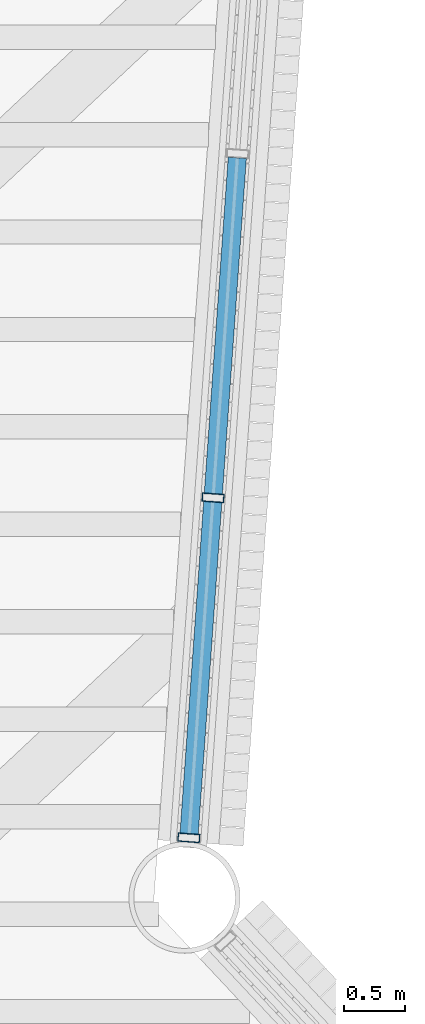
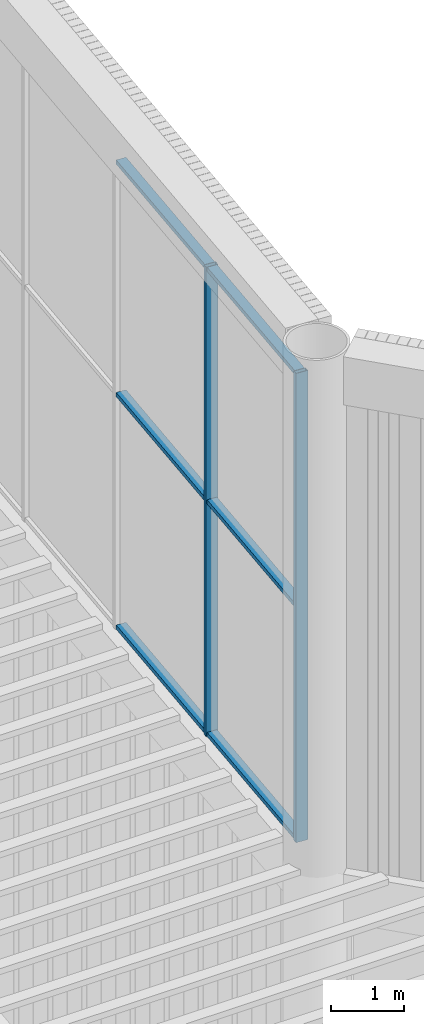
# One storey, part 70 of 117: 8 members, 1 element without a shape of its own.
"""IFC4 building model written with IfcOpenShell, lengths in metres."""

from ifc_helpers import new_model, si_unit, direction, frame, origin, origin_2d, place, context, subcontext, project, spatial, hollow_rectangle, extrude, material, layer, layer_set, material_profile, profile_set, type_object, element, aggregate, save


model = new_model("IFC4")

# Units and contexts
model_context = context("Model", 3, precision=1e-05, world=origin(), true_north=direction((0.0, 1.0)))
body_context = subcontext(model_context, "Body", "Model", "MODEL_VIEW")
ifc_project = project(units=[si_unit("LENGTHUNIT", "METRE"), si_unit("AREAUNIT", "SQUARE_METRE"), si_unit("VOLUMEUNIT", "CUBIC_METRE"), si_unit("PLANEANGLEUNIT", "RADIAN"), si_unit("MASSUNIT", "GRAM", prefix="KILO")], contexts=[model_context])

# Site, building, storey
site_placement = place(None, origin())
site = spatial("IfcSite", under=ifc_project, at=site_placement, CompositionType="ELEMENT")
building_placement = place(site_placement, origin())
building = spatial("IfcBuilding", under=site, at=building_placement, Name="Tarsis Ring Headquarters", CompositionType="ELEMENT")
storey_placement = place(building_placement, frame((0.0, 0.0, 403.60009765625)))
storey = spatial("IfcBuildingStorey", under=building, at=storey_placement, Name="L95", CompositionType="ELEMENT", Elevation=403.60009765625)

# Curtain wall, members
ifc_material_1 = material(Name="Aluminium curtain wall", Category="aluminium")
ifc_layer = layer(ifc_material_1, 0.179931640625)
ifc_layer_set = layer_set([ifc_layer], Name="Curtain wall crown glazing")
curtain_wall_type = type_object("IfcCurtainWallType", Name="Curtain wall crown glazing", PredefinedType="NOTDEFINED", material=ifc_layer_set)
curtain_wall_placement = place(storey_placement, origin())
curtain_wall = element("IfcCurtainWall", 1, at=curtain_wall_placement, inside=storey, type_object=curtain_wall_type, Name="Crown glazing U6", PredefinedType="NOTDEFINED")
ifc_material_2 = material(Name="Aluminium mullion", Category="aluminium")
ifc_material_profile_1 = material_profile(ifc_material_2, hollow_rectangle(XDim=0.179931640625, YDim=0.070068359375, WallThickness=0.0048828125, at=origin_2d()), Name="RHS 180x70x5")
ifc_profile_set_1 = profile_set([ifc_material_profile_1], Name="Aluminium mullion")
member_type_1 = type_object("IfcMemberType", Name="Crown glazing mullion RHS 180x70x5", PredefinedType="MULLION", material=ifc_profile_set_1)
member_1_placement = place(storey_placement, frame((27.923095703125, -7.637939453125, 14.39990234375), z_axis=(0.0, 0.0, 1.0), x_axis=(-0.997467263285, 0.071127060071, 0.0)))
member_1 = element("IfcMember", 2, at=member_1_placement, type_object=member_type_1, Name="CW-C mullion 1", PredefinedType="MULLION", context=body_context, shape_type="SweptSolid", body=[
    extrude(hollow_rectangle(XDim=0.179931640625, YDim=0.070068359375, WallThickness=0.0048828125, at=origin_2d()), origin(), (0.0, 0.0, 1.0), 7.800048828125),
])
member_2_placement = place(storey_placement, frame((28.1220703125, -4.84619140625, 14.39990234375), z_axis=(0.0, 0.0, 1.0), x_axis=(-0.997467263285, 0.071127060071, 0.0)))
member_2 = element("IfcMember", 3, at=member_2_placement, type_object=member_type_1, Name="CW-C mullion 2", PredefinedType="MULLION", context=body_context, shape_type="SweptSolid", body=[
    extrude(hollow_rectangle(XDim=0.179931640625, YDim=0.070068359375, WallThickness=0.0048828125, at=origin_2d()), origin(), (0.0, 0.0, 1.0), 7.800048828125),
])
ifc_material_3 = material(Name="Aluminium transom", Category="aluminium")
ifc_material_profile_2 = material_profile(ifc_material_3, hollow_rectangle(XDim=0.14990234375, YDim=0.070068359375, WallThickness=0.0048828125, at=origin_2d()), Name="RHS 150x70x5")
ifc_profile_set_2 = profile_set([ifc_material_profile_2], Name="Aluminium transom")
member_type_2 = type_object("IfcMemberType", Name="Crown glazing transom RHS 150x70x5", PredefinedType="USERDEFINED", material=ifc_profile_set_2)
member_3_placement = place(storey_placement, frame((27.925537109375, -7.60302734375, 14.434814453125), z_axis=(0.07112624634, 0.99746732131, 0.0), x_axis=(-0.99746732131, 0.07112624634, 0.0)))
member_3 = element("IfcMember", 4, at=member_3_placement, type_object=member_type_2, Name="CW-C transom 1.1", ObjectType="TRANSOM", PredefinedType="USERDEFINED", context=body_context, shape_type="SweptSolid", body=[
    extrude(hollow_rectangle(XDim=0.14990234375, YDim=0.070068359375, WallThickness=0.0048828125, at=origin_2d()), origin(), (0.0, 0.0, 1.0), 2.728759765625),
])
member_4_placement = place(storey_placement, frame((27.925537109375, -7.60302734375, 18.2998046875), z_axis=(0.07112624634, 0.99746732131, 0.0), x_axis=(-0.99746732131, 0.07112624634, 0.0)))
member_4 = element("IfcMember", 5, at=member_4_placement, type_object=member_type_2, Name="CW-C transom 1.2", ObjectType="TRANSOM", PredefinedType="USERDEFINED", context=body_context, shape_type="SweptSolid", body=[
    extrude(hollow_rectangle(XDim=0.14990234375, YDim=0.070068359375, WallThickness=0.0048828125, at=origin_2d()), origin(), (0.0, 0.0, 1.0), 2.728759765625),
])
member_5_placement = place(storey_placement, frame((27.925537109375, -7.60302734375, 22.164794921875), z_axis=(0.07112624634, 0.99746732131, 0.0), x_axis=(-0.99746732131, 0.07112624634, 0.0)))
member_5 = element("IfcMember", 6, at=member_5_placement, type_object=member_type_2, Name="CW-C transom 1.3", ObjectType="TRANSOM", PredefinedType="USERDEFINED", context=body_context, shape_type="SweptSolid", body=[
    extrude(hollow_rectangle(XDim=0.14990234375, YDim=0.070068359375, WallThickness=0.0048828125, at=origin_2d()), origin(), (0.0, 0.0, 1.0), 2.728759765625),
])
member_6_placement = place(storey_placement, frame((28.12451171875, -4.811279296875, 14.434814453125), z_axis=(0.071115209207, 0.997468108272, 0.0), x_axis=(-0.997468108272, 0.071115209207, 0.0)))
member_6 = element("IfcMember", 7, at=member_6_placement, type_object=member_type_2, Name="CW-C transom 2.1", ObjectType="TRANSOM", PredefinedType="USERDEFINED", context=body_context, shape_type="SweptSolid", body=[
    extrude(hollow_rectangle(XDim=0.14990234375, YDim=0.070068359375, WallThickness=0.0048828125, at=origin_2d()), origin(), (0.0, 0.0, 1.0), 2.763671875),
])
member_7_placement = place(storey_placement, frame((28.12451171875, -4.811279296875, 18.2998046875), z_axis=(0.071115209207, 0.997468108272, 0.0), x_axis=(-0.997468108272, 0.071115209207, 0.0)))
member_7 = element("IfcMember", 8, at=member_7_placement, type_object=member_type_2, Name="CW-C transom 2.2", ObjectType="TRANSOM", PredefinedType="USERDEFINED", context=body_context, shape_type="SweptSolid", body=[
    extrude(hollow_rectangle(XDim=0.14990234375, YDim=0.070068359375, WallThickness=0.0048828125, at=origin_2d()), origin(), (0.0, 0.0, 1.0), 2.763671875),
])
member_8_placement = place(storey_placement, frame((28.12451171875, -4.811279296875, 22.164794921875), z_axis=(0.071115209207, 0.997468108272, 0.0), x_axis=(-0.997468108272, 0.071115209207, 0.0)))
member_8 = element("IfcMember", 9, at=member_8_placement, type_object=member_type_2, Name="CW-C transom 2.3", ObjectType="TRANSOM", PredefinedType="USERDEFINED", context=body_context, shape_type="SweptSolid", body=[
    extrude(hollow_rectangle(XDim=0.14990234375, YDim=0.070068359375, WallThickness=0.0048828125, at=origin_2d()), origin(), (0.0, 0.0, 1.0), 2.763671875),
])
aggregate(curtain_wall, [member_1, member_2, member_3, member_4, member_5, member_6, member_7, member_8])

save(model, "model.ifc")
